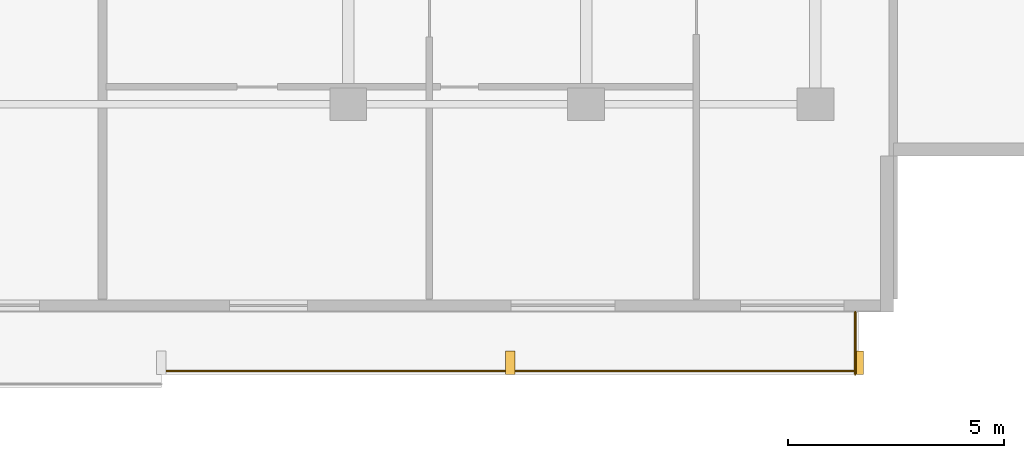
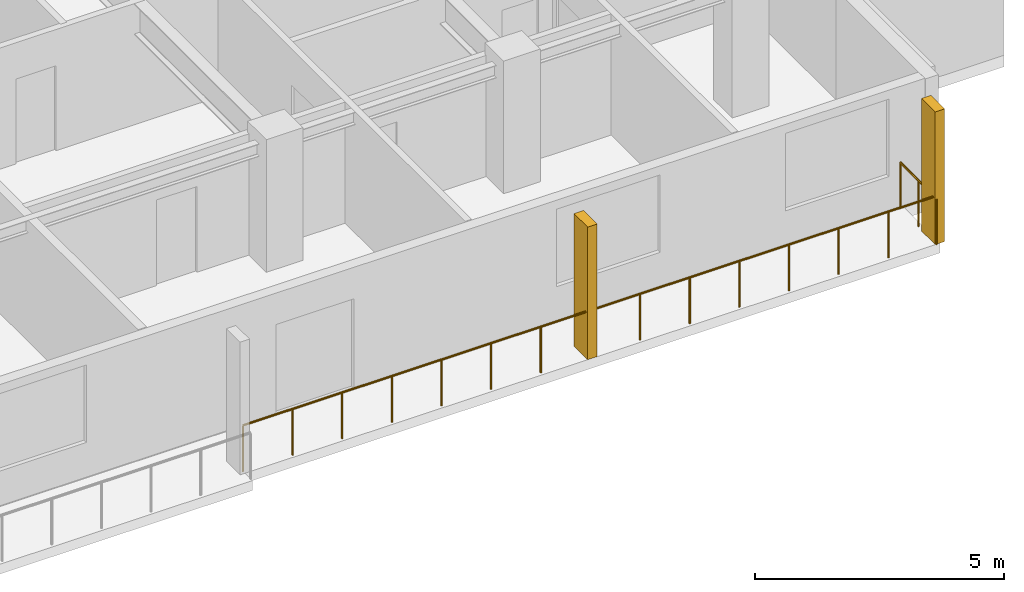
# One storey, part 19 of 21: 2 railings, 2 shading devices.
"""IFC4 building model written with IfcOpenShell, lengths in metres."""

from ifc_helpers import new_model, si_unit, direction, frame, origin, origin_2d, place, context, subcontext, project, spatial, rectangle, circle, extrude, material, type_object, element, save


model = new_model("IFC4")

# Units and contexts
model_context = context("Model", 3, precision=1e-05, world=origin(), true_north=direction((0.0, 1.0)))
body_context = subcontext(model_context, "Body", "Model", "MODEL_VIEW")
ifc_project = project(units=[si_unit("LENGTHUNIT", "METRE"), si_unit("AREAUNIT", "SQUARE_METRE"), si_unit("VOLUMEUNIT", "CUBIC_METRE"), si_unit("PLANEANGLEUNIT", "RADIAN"), si_unit("MASSUNIT", "GRAM", prefix="KILO")], contexts=[model_context])

# Site, building, storey
site_placement = place(None, origin())
site = spatial("IfcSite", under=ifc_project, at=site_placement, CompositionType="ELEMENT")
building_placement = place(site_placement, origin())
building = spatial("IfcBuilding", under=site, at=building_placement, Name="Korimba Cascade Residences", CompositionType="ELEMENT")
storey_placement = place(building_placement, frame((0.0, 0.0, 119.800048828125)))
storey = spatial("IfcBuildingStorey", under=building, at=storey_placement, Name="L34", CompositionType="ELEMENT", Elevation=119.800048828125)

# Railings
ifc_material_1 = material(Name="Laminated Glass and Bronze Balustrade", Category="glass")
railing_type = type_object("IfcRailingType", Name="RLG-LOG-1150", PredefinedType="BALUSTRADE", material=ifc_material_1)
railing_1_placement = place(storey_placement, frame((113.78564453125, -10.3701171875, 0.0)))
element("IfcRailing", 1, at=railing_1_placement, inside=storey, type_object=railing_type, Name="L34 Perimeter Guardrail RLG-L34-T2-LOG-06", PredefinedType="BALUSTRADE", context=body_context, shape_type="SweptSolid", body=[
    extrude(circle(Radius=0.02392578125, at=origin_2d()), frame((0.0, 0.0, 1.1259765625), z_axis=(1.0, 0.0, 0.0), x_axis=(0.0, 1.0, 0.0)), (0.0, 0.0, 1.0), 16.1142578125),
    extrude(circle(Radius=0.02099609375, at=origin_2d()), origin(), (0.0, 0.0, 1.0), 1.101806640625),
    extrude(circle(Radius=0.02099609375, at=origin_2d()), frame((1.151123046875, 0.0, 0.0)), (0.0, 0.0, 1.0), 1.101806640625),
    extrude(circle(Radius=0.02099609375, at=origin_2d()), frame((2.302001953125, 0.0, 0.0)), (0.0, 0.0, 1.0), 1.101806640625),
    extrude(circle(Radius=0.02099609375, at=origin_2d()), frame((3.453125, 0.0, 0.0)), (0.0, 0.0, 1.0), 1.101806640625),
    extrude(circle(Radius=0.02099609375, at=origin_2d()), frame((4.60400390625, 0.0, 0.0)), (0.0, 0.0, 1.0), 1.101806640625),
    extrude(circle(Radius=0.02099609375, at=origin_2d()), frame((5.755126953125, 0.0, 0.0)), (0.0, 0.0, 1.0), 1.101806640625),
    extrude(circle(Radius=0.02099609375, at=origin_2d()), frame((6.906005859375, 0.0, 0.0)), (0.0, 0.0, 1.0), 1.101806640625),
    extrude(circle(Radius=0.02099609375, at=origin_2d()), frame((8.05712890625, 0.0, 0.0)), (0.0, 0.0, 1.0), 1.101806640625),
    extrude(circle(Radius=0.02099609375, at=origin_2d()), frame((9.208251953125, 0.0, 0.0)), (0.0, 0.0, 1.0), 1.101806640625),
    extrude(circle(Radius=0.02099609375, at=origin_2d()), frame((10.359130859375, 0.0, 0.0)), (0.0, 0.0, 1.0), 1.101806640625),
    extrude(circle(Radius=0.02099609375, at=origin_2d()), frame((11.51025390625, 0.0, 0.0)), (0.0, 0.0, 1.0), 1.101806640625),
    extrude(circle(Radius=0.02099609375, at=origin_2d()), frame((12.6611328125, 0.0, 0.0)), (0.0, 0.0, 1.0), 1.101806640625),
    extrude(circle(Radius=0.02099609375, at=origin_2d()), frame((13.812255859375, 0.0, 0.0)), (0.0, 0.0, 1.0), 1.101806640625),
    extrude(circle(Radius=0.02099609375, at=origin_2d()), frame((14.963134765625, 0.0, 0.0)), (0.0, 0.0, 1.0), 1.101806640625),
    extrude(circle(Radius=0.02099609375, at=origin_2d()), frame((16.1142578125, 0.0, 0.0)), (0.0, 0.0, 1.0), 1.101806640625),
])
railing_2_placement = place(storey_placement, frame((129.820068359375, -10.449951171875, 0.0)))
element("IfcRailing", 2, at=railing_2_placement, inside=storey, type_object=railing_type, Name="L34 Perimeter Guardrail RLG-L34-T2-LOG-07", PredefinedType="BALUSTRADE", context=body_context, shape_type="SweptSolid", body=[
    extrude(circle(Radius=0.02392578125, at=origin_2d()), frame((0.0, 0.0, 1.1259765625), z_axis=(0.0, 1.0, 0.0), x_axis=(-1.0, 0.0, 0.0)), (0.0, 0.0, 1.0), 1.449951171875),
    extrude(circle(Radius=0.02099609375, at=origin_2d()), origin(), (0.0, 0.0, 1.0), 1.101806640625),
    extrude(circle(Radius=0.02099609375, at=origin_2d()), frame((0.0, 0.72509765625, 0.0)), (0.0, 0.0, 1.0), 1.101806640625),
    extrude(circle(Radius=0.02099609375, at=origin_2d()), frame((0.0, 1.449951171875, 0.0)), (0.0, 0.0, 1.0), 1.101806640625),
])

# Shading devices
ifc_material_2 = material(Name="Honed Sandstone Precast Fin", Category="masonry")
shading_device_type = type_object("IfcShadingDeviceType", Name="SHD-FIN-550", PredefinedType="USERDEFINED", material=ifc_material_2)
for number, where, z_axis, x_axis, name in (
    (3, (121.843017578125, -10.175048828125, 0.0), (0.0, 0.0, 1.0), (1.0, 0.0, 0.0), "L34 T2 Warm-Stone Loggia Fin 7"),
    (4, (129.89990234375, -10.175048828125, 0.0), (0.0, 0.0, 1.0), (1.0, 0.0, 0.0), "L34 T2 Warm-Stone Loggia Fin 8"),
):
    element("IfcShadingDevice", number, at=place(storey_placement, frame(where, z_axis=z_axis, x_axis=x_axis)), inside=storey, type_object=shading_device_type, Name=name, ObjectType="FIN", PredefinedType="USERDEFINED", context=body_context, shape_type="SweptSolid", body=[
        extrude(rectangle(XDim=0.219970703125, YDim=0.550048828125, at=origin_2d()), origin(), (0.0, 0.0, 1.0), 3.25),
    ])

save(model, "model.ifc")
